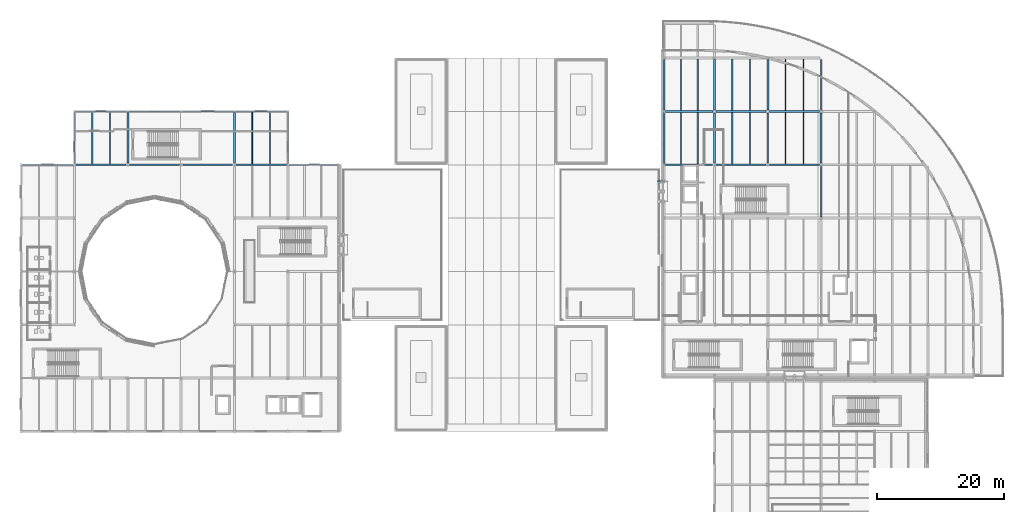
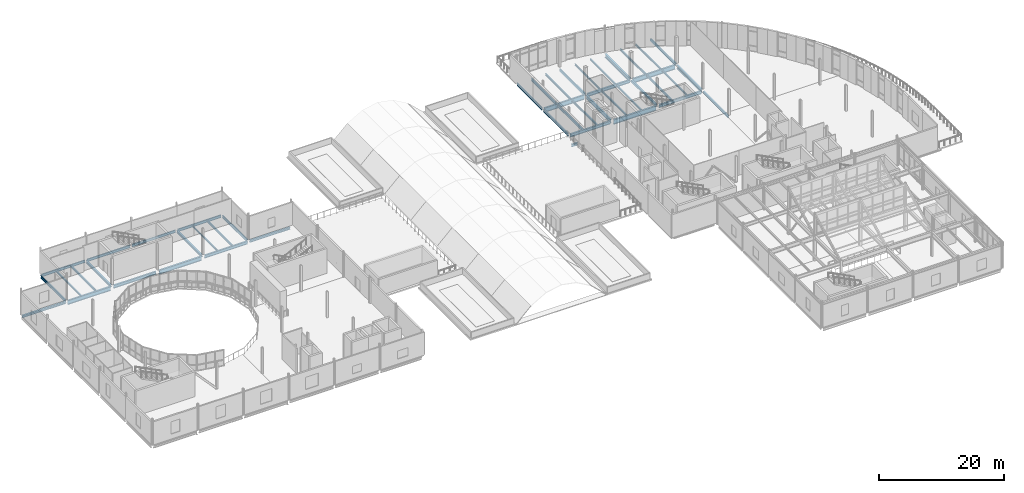
# One storey, part 36 of 91: 46 beams.
"""IFC4 building model written with IfcOpenShell, lengths in metres."""

from ifc_helpers import new_model, si_unit, direction, frame, origin, origin_2d, place, context, subcontext, project, spatial, hollow_rectangle, i_section, extrude, material, material_profile, profile_set, type_object, element, save


model = new_model("IFC4")

# Units and contexts
model_context = context("Model", 3, precision=1e-05, world=origin(), true_north=direction((0.0, 1.0)))
body_context = subcontext(model_context, "Body", "Model", "MODEL_VIEW")
ifc_project = project(units=[si_unit("LENGTHUNIT", "METRE"), si_unit("AREAUNIT", "SQUARE_METRE"), si_unit("VOLUMEUNIT", "CUBIC_METRE"), si_unit("PLANEANGLEUNIT", "RADIAN"), si_unit("MASSUNIT", "GRAM", prefix="KILO"), si_unit("THERMODYNAMICTEMPERATUREUNIT", "KELVIN")], contexts=[model_context])

# Site, building, storey
site_placement = place(None, origin())
site = spatial("IfcSite", under=ifc_project, at=site_placement, CompositionType="ELEMENT")
building_placement = place(site_placement, origin())
building = spatial("IfcBuilding", under=site, at=building_placement, Name="Lustrewick Department Store", CompositionType="ELEMENT")
storey_placement = place(building_placement, frame((0.0, 0.0, 21.60009765625)))
storey = spatial("IfcBuildingStorey", under=building, at=storey_placement, Name="L05", CompositionType="ELEMENT", Elevation=21.60009765625)

# Beams
ifc_material_1 = material(Name="Structural steel Q355B", Category="steel")
ifc_material_profile_1 = material_profile(ifc_material_1, i_section(OverallWidth=0.199951171875, OverallDepth=0.5, WebThickness=0.010009765625, FlangeThickness=0.01611328125, FilletRadius=0.01611328125, at=origin_2d()), Name="HN 500x200x10x16")
ifc_profile_set_1 = profile_set([ifc_material_profile_1], Name="Structural steel Q355B")
beam_type_1 = type_object("IfcBeamType", Name="B01", PredefinedType="JOIST", material=ifc_profile_set_1)
beam_1_placement = place(storey_placement, frame((112.333251953125, 84.14990234375, -0.505126953125), z_axis=(0.0, 1.0, 0.0), x_axis=(-1.0, 0.0, 0.0)))
element("IfcBeam", 1, at=beam_1_placement, inside=storey, type_object=beam_type_1, Name="L05 V4 Secondary Joist B01", PredefinedType="JOIST", context=body_context, shape_type="SweptSolid", body=[
    extrude(i_section(OverallWidth=0.199951171875, OverallDepth=0.5, WebThickness=0.010009765625, FlangeThickness=0.01611328125, FilletRadius=0.01611328125, at=origin_2d()), origin(), (0.0, 0.0, 1.0), 8.1005859375),
])
beam_2_placement = place(storey_placement, frame((112.333251953125, 92.549560546875, -0.505126953125), z_axis=(0.0, 1.0, 0.0), x_axis=(-1.0, 0.0, 0.0)))
element("IfcBeam", 2, at=beam_2_placement, inside=storey, type_object=beam_type_1, Name="L05 V4 Secondary Joist B01", PredefinedType="JOIST", context=body_context, shape_type="SweptSolid", body=[
    extrude(i_section(OverallWidth=0.199951171875, OverallDepth=0.5, WebThickness=0.010009765625, FlangeThickness=0.01611328125, FilletRadius=0.01611328125, at=origin_2d()), origin(), (0.0, 0.0, 1.0), 8.100341796875),
])
ifc_material_profile_2 = material_profile(ifc_material_1, i_section(OverallWidth=0.199951171875, OverallDepth=0.449951171875, WebThickness=0.009033203125, FlangeThickness=0.013916015625, FilletRadius=0.01611328125, at=origin_2d()), Name="HN 450x200x9x14")
ifc_profile_set_2 = profile_set([ifc_material_profile_2], Name="Structural steel Q355B")
beam_type_2 = type_object("IfcBeamType", Name="B03", PredefinedType="JOIST", material=ifc_profile_set_2)
beam_3_placement = place(storey_placement, frame((22.39990234375, 84.15087890625, -0.47998046875), z_axis=(0.0, 1.0, 0.0), x_axis=(-1.0, 0.0, 0.0)))
element("IfcBeam", 3, at=beam_3_placement, inside=storey, type_object=beam_type_2, Name="L05 V1 Secondary Joist B03", PredefinedType="JOIST", context=body_context, shape_type="SweptSolid", body=[
    extrude(i_section(OverallWidth=0.199951171875, OverallDepth=0.449951171875, WebThickness=0.009033203125, FlangeThickness=0.013916015625, FilletRadius=0.01611328125, at=origin_2d()), origin(), (0.0, 0.0, 1.0), 8.148681640625),
])
beam_4_placement = place(storey_placement, frame((47.60009765625, 84.14990234375, -0.47998046875), z_axis=(0.0, 1.0, 0.0), x_axis=(-1.0, 0.0, 0.0)))
element("IfcBeam", 4, at=beam_4_placement, inside=storey, type_object=beam_type_2, Name="L05 V1 Secondary Joist B03", PredefinedType="JOIST", context=body_context, shape_type="SweptSolid", body=[
    extrude(i_section(OverallWidth=0.199951171875, OverallDepth=0.449951171875, WebThickness=0.009033203125, FlangeThickness=0.013916015625, FilletRadius=0.01611328125, at=origin_2d()), origin(), (0.0, 0.0, 1.0), 8.149658203125),
])
ifc_material_profile_3 = material_profile(ifc_material_1, i_section(OverallWidth=0.199951171875, OverallDepth=0.39990234375, WebThickness=0.008056640625, FlangeThickness=0.012939453125, FilletRadius=0.013916015625, at=origin_2d()), Name="HN 400x200x8x13")
ifc_profile_set_3 = profile_set([ifc_material_profile_3], Name="Structural steel Q355B")
beam_type_3 = type_object("IfcBeamType", Name="B05", PredefinedType="JOIST", material=ifc_profile_set_3)
beam_5_placement = place(storey_placement, frame((114.966796875, 84.14990234375, -0.455078125), z_axis=(0.0, 1.0, 0.0), x_axis=(-1.0, 0.0, 0.0)))
element("IfcBeam", 5, at=beam_5_placement, inside=storey, type_object=beam_type_3, Name="L05 V4 Secondary Joist B05", PredefinedType="JOIST", context=body_context, shape_type="SweptSolid", body=[
    extrude(i_section(OverallWidth=0.199951171875, OverallDepth=0.39990234375, WebThickness=0.008056640625, FlangeThickness=0.012939453125, FilletRadius=0.013916015625, at=origin_2d()), origin(), (0.0, 0.0, 1.0), 8.1005859375),
])
beam_6_placement = place(storey_placement, frame((128.800048828125, 84.14990234375, -0.455078125), z_axis=(0.0, 1.0, 0.0), x_axis=(-1.0, 0.0, 0.0)))
element("IfcBeam", 6, at=beam_6_placement, inside=storey, type_object=beam_type_3, Name="L05 V4 Secondary Joist B05", PredefinedType="JOIST", context=body_context, shape_type="SweptSolid", body=[
    extrude(i_section(OverallWidth=0.199951171875, OverallDepth=0.39990234375, WebThickness=0.008056640625, FlangeThickness=0.012939453125, FilletRadius=0.013916015625, at=origin_2d()), origin(), (0.0, 0.0, 1.0), 8.10009765625),
])
beam_7_placement = place(storey_placement, frame((114.966796875, 92.549560546875, -0.455078125), z_axis=(0.0, 1.0, 0.0), x_axis=(-1.0, 0.0, 0.0)))
element("IfcBeam", 7, at=beam_7_placement, inside=storey, type_object=beam_type_3, Name="L05 V4 Secondary Joist B05", PredefinedType="JOIST", context=body_context, shape_type="SweptSolid", body=[
    extrude(i_section(OverallWidth=0.199951171875, OverallDepth=0.39990234375, WebThickness=0.008056640625, FlangeThickness=0.012939453125, FilletRadius=0.013916015625, at=origin_2d()), origin(), (0.0, 0.0, 1.0), 8.100341796875),
])
beam_8_placement = place(storey_placement, frame((128.800048828125, 92.550048828125, -0.455078125), z_axis=(0.0, 1.0, 0.0), x_axis=(-1.0, 0.0, 0.0)))
element("IfcBeam", 8, at=beam_8_placement, inside=storey, type_object=beam_type_3, Name="L05 V4 Secondary Joist B05", PredefinedType="JOIST", context=body_context, shape_type="SweptSolid", body=[
    extrude(i_section(OverallWidth=0.199951171875, OverallDepth=0.39990234375, WebThickness=0.008056640625, FlangeThickness=0.012939453125, FilletRadius=0.013916015625, at=origin_2d()), origin(), (0.0, 0.0, 1.0), 8.099853515625),
])
ifc_material_profile_4 = material_profile(ifc_material_1, i_section(OverallWidth=0.175048828125, OverallDepth=0.35009765625, WebThickness=0.007080078125, FlangeThickness=0.010986328125, FilletRadius=0.012939453125, at=origin_2d()), Name="HN 350x175x7x11")
ifc_profile_set_4 = profile_set([ifc_material_profile_4], Name="Structural steel Q355B")
beam_type_4 = type_object("IfcBeamType", Name="B09", PredefinedType="JOIST", material=ifc_profile_set_4)
beam_9_placement = place(storey_placement, frame((120.39990234375, 84.1494140625, -0.43017578125), z_axis=(0.0, 1.0, 0.0), x_axis=(-1.0, 0.0, 0.0)))
element("IfcBeam", 9, at=beam_9_placement, inside=storey, type_object=beam_type_4, Name="L05 V4 Secondary Joist B09", PredefinedType="JOIST", context=body_context, shape_type="SweptSolid", body=[
    extrude(i_section(OverallWidth=0.175048828125, OverallDepth=0.35009765625, WebThickness=0.007080078125, FlangeThickness=0.010986328125, FilletRadius=0.012939453125, at=origin_2d()), origin(), (0.0, 0.0, 1.0), 8.1005859375),
])
beam_10_placement = place(storey_placement, frame((131.60009765625, 84.14990234375, -0.43017578125), z_axis=(0.0, 1.0, 0.0), x_axis=(-1.0, 0.0, 0.0)))
element("IfcBeam", 10, at=beam_10_placement, inside=storey, type_object=beam_type_4, Name="L05 V4 Secondary Joist B09", PredefinedType="JOIST", context=body_context, shape_type="SweptSolid", body=[
    extrude(i_section(OverallWidth=0.175048828125, OverallDepth=0.35009765625, WebThickness=0.007080078125, FlangeThickness=0.010986328125, FilletRadius=0.012939453125, at=origin_2d()), origin(), (0.0, 0.0, 1.0), 8.10009765625),
])
for number, where, z_axis, x_axis, name in (
    (11, (120.39990234375, 92.550048828125, -0.43017578125), (0.0, 1.0, 0.0), (-1.0, 0.0, 0.0), "L05 V4 Secondary Joist B09"),
    (12, (131.60009765625, 92.550048828125, -0.43017578125), (0.0, 1.0, 0.0), (-1.0, 0.0, 0.0), "L05 V4 Secondary Joist B09"),
):
    element("IfcBeam", number, at=place(storey_placement, frame(where, z_axis=z_axis, x_axis=x_axis)), inside=storey, type_object=beam_type_4, Name=name, PredefinedType="JOIST", context=body_context, shape_type="SweptSolid", body=[
        extrude(i_section(OverallWidth=0.175048828125, OverallDepth=0.35009765625, WebThickness=0.007080078125, FlangeThickness=0.010986328125, FilletRadius=0.012939453125, at=origin_2d()), origin(), (0.0, 0.0, 1.0), 8.099853515625),
    ])
ifc_material_profile_5 = material_profile(ifc_material_1, i_section(OverallWidth=0.14892578125, OverallDepth=0.298095703125, WebThickness=0.005615234375, FlangeThickness=0.008056640625, FilletRadius=0.011962890625, at=origin_2d()), Name="HN 298x149x5.5x8")
ifc_profile_set_5 = profile_set([ifc_material_profile_5], Name="Structural steel Q355B")
beam_type_5 = type_object("IfcBeamType", Name="B12", PredefinedType="JOIST", material=ifc_profile_set_5)
beam_11_placement = place(storey_placement, frame((44.800048828125, 84.14990234375, -0.404052734375), z_axis=(0.0, 1.0, 0.0), x_axis=(-1.0, 0.0, 0.0)))
element("IfcBeam", 13, at=beam_11_placement, inside=storey, type_object=beam_type_5, Name="L05 V1 Secondary Joist B12", PredefinedType="JOIST", context=body_context, shape_type="SweptSolid", body=[
    extrude(i_section(OverallWidth=0.14892578125, OverallDepth=0.298095703125, WebThickness=0.005615234375, FlangeThickness=0.008056640625, FilletRadius=0.011962890625, at=origin_2d()), origin(), (0.0, 0.0, 1.0), 8.149658203125),
])
ifc_material_profile_6 = material_profile(ifc_material_1, i_section(OverallWidth=0.199951171875, OverallDepth=0.2939453125, WebThickness=0.008056640625, FlangeThickness=0.011962890625, FilletRadius=0.013916015625, at=origin_2d()), Name="HM 294x200x8x12")
ifc_profile_set_6 = profile_set([ifc_material_profile_6], Name="Structural steel Q355B")
beam_type_6 = type_object("IfcBeamType", Name="B13", PredefinedType="JOIST", material=ifc_profile_set_6)
beam_12_placement = place(storey_placement, frame((19.60009765625, 84.15087890625, -0.402099609375), z_axis=(0.0, 1.0, 0.0), x_axis=(-1.0, 0.0, 0.0)))
element("IfcBeam", 14, at=beam_12_placement, inside=storey, type_object=beam_type_6, Name="L05 V1 Secondary Joist B13", PredefinedType="JOIST", context=body_context, shape_type="SweptSolid", body=[
    extrude(i_section(OverallWidth=0.199951171875, OverallDepth=0.2939453125, WebThickness=0.008056640625, FlangeThickness=0.011962890625, FilletRadius=0.013916015625, at=origin_2d()), origin(), (0.0, 0.0, 1.0), 8.148681640625),
])
beam_13_placement = place(storey_placement, frame((123.199951171875, 84.1494140625, -0.402099609375), z_axis=(0.0, 1.0, 0.0), x_axis=(-1.0, 0.0, 0.0)))
element("IfcBeam", 15, at=beam_13_placement, inside=storey, type_object=beam_type_6, Name="L05 V4 Secondary Joist B13", PredefinedType="JOIST", context=body_context, shape_type="SweptSolid", body=[
    extrude(i_section(OverallWidth=0.199951171875, OverallDepth=0.2939453125, WebThickness=0.008056640625, FlangeThickness=0.011962890625, FilletRadius=0.013916015625, at=origin_2d()), origin(), (0.0, 0.0, 1.0), 8.1005859375),
])
beam_14_placement = place(storey_placement, frame((123.199951171875, 92.550048828125, -0.402099609375), z_axis=(0.0, 1.0, 0.0), x_axis=(-1.0, 0.0, 0.0)))
element("IfcBeam", 16, at=beam_14_placement, inside=storey, type_object=beam_type_6, Name="L05 V4 Secondary Joist B13", PredefinedType="JOIST", context=body_context, shape_type="SweptSolid", body=[
    extrude(i_section(OverallWidth=0.199951171875, OverallDepth=0.2939453125, WebThickness=0.008056640625, FlangeThickness=0.011962890625, FilletRadius=0.013916015625, at=origin_2d()), origin(), (0.0, 0.0, 1.0), 8.099853515625),
])
ifc_material_2 = material(Name="Structural steel Q355C", Category="steel")
ifc_material_profile_7 = material_profile(ifc_material_2, i_section(OverallWidth=0.300048828125, OverallDepth=0.89990234375, WebThickness=0.01611328125, FlangeThickness=0.028076171875, FilletRadius=0.02392578125, at=origin_2d()), Name="HN 900x300x16x28")
ifc_profile_set_7 = profile_set([ifc_material_profile_7], Name="Structural steel Q355C")
beam_type_7 = type_object("IfcBeamType", Name="G02", PredefinedType="BEAM", material=ifc_profile_set_7)
beam_15_placement = place(storey_placement, frame((126.25, 92.39990234375, -0.705078125), z_axis=(1.0, 0.0, 0.0), x_axis=(0.0, 1.0, 0.0)))
element("IfcBeam", 17, at=beam_15_placement, inside=storey, type_object=beam_type_7, Name="L05 V4 Girder G02", PredefinedType="BEAM", context=body_context, shape_type="SweptSolid", body=[
    extrude(i_section(OverallWidth=0.300048828125, OverallDepth=0.89990234375, WebThickness=0.01611328125, FlangeThickness=0.028076171875, FilletRadius=0.02392578125, at=origin_2d()), origin(), (0.0, 0.0, 1.0), 7.89990234375),
])
ifc_material_profile_8 = material_profile(ifc_material_2, i_section(OverallWidth=0.299072265625, OverallDepth=0.889892578125, WebThickness=0.014892578125, FlangeThickness=0.02294921875, FilletRadius=0.02392578125, at=origin_2d()), Name="HN 890x299x15x23")
ifc_profile_set_8 = profile_set([ifc_material_profile_8], Name="Structural steel Q355C")
beam_type_8 = type_object("IfcBeamType", Name="G03", PredefinedType="BEAM", material=ifc_profile_set_8)
beam_16_placement = place(storey_placement, frame((117.875, 84.0, -0.7001953125), z_axis=(1.0, 0.0, 0.0), x_axis=(0.0, 1.0, 0.0)))
element("IfcBeam", 18, at=beam_16_placement, inside=storey, type_object=beam_type_8, Name="L05 V4 Girder G03", PredefinedType="BEAM", context=body_context, shape_type="SweptSolid", body=[
    extrude(i_section(OverallWidth=0.299072265625, OverallDepth=0.889892578125, WebThickness=0.014892578125, FlangeThickness=0.02294921875, FilletRadius=0.02392578125, at=origin_2d()), origin(), (0.0, 0.0, 1.0), 7.85009765625),
])
beam_17_placement = place(storey_placement, frame((109.903076171875, 92.39990234375, -0.7001953125), z_axis=(1.0, 0.0, 0.0), x_axis=(0.0, 1.0, 0.0)))
element("IfcBeam", 19, at=beam_17_placement, inside=storey, type_object=beam_type_8, Name="L05 V4 Girder G03", PredefinedType="BEAM", context=body_context, shape_type="SweptSolid", body=[
    extrude(i_section(OverallWidth=0.299072265625, OverallDepth=0.889892578125, WebThickness=0.014892578125, FlangeThickness=0.02294921875, FilletRadius=0.02392578125, at=origin_2d()), origin(), (0.0, 0.0, 1.0), 7.447021484375),
])
ifc_material_profile_9 = material_profile(ifc_material_2, i_section(OverallWidth=0.302001953125, OverallDepth=0.80810546875, WebThickness=0.01611328125, FlangeThickness=0.030029296875, FilletRadius=0.02197265625, at=origin_2d()), Name="HN 808x302x16x30")
ifc_profile_set_9 = profile_set([ifc_material_profile_9], Name="Structural steel Q355C")
beam_type_9 = type_object("IfcBeamType", Name="G04", PredefinedType="BEAM", material=ifc_profile_set_9)
beam_18_placement = place(storey_placement, frame((17.0029296875, 84.0, -0.6591796875), z_axis=(1.0, 0.0, 0.0), x_axis=(0.0, 1.0, 0.0)))
element("IfcBeam", 20, at=beam_18_placement, inside=storey, type_object=beam_type_9, Name="L05 V1 Girder G04", PredefinedType="BEAM", context=body_context, shape_type="SweptSolid", body=[
    extrude(i_section(OverallWidth=0.302001953125, OverallDepth=0.80810546875, WebThickness=0.01611328125, FlangeThickness=0.030029296875, FilletRadius=0.02197265625, at=origin_2d()), origin(), (0.0, 0.0, 1.0), 7.922119140625),
])
beam_19_placement = place(storey_placement, frame((33.875, 84.0, -0.6591796875), z_axis=(1.0, 0.0, 0.0), x_axis=(0.0, 1.0, 0.0)))
element("IfcBeam", 21, at=beam_19_placement, inside=storey, type_object=beam_type_9, Name="L05 V1 Girder G04", PredefinedType="BEAM", context=body_context, shape_type="SweptSolid", body=[
    extrude(i_section(OverallWidth=0.302001953125, OverallDepth=0.80810546875, WebThickness=0.01611328125, FlangeThickness=0.030029296875, FilletRadius=0.02197265625, at=origin_2d()), origin(), (0.0, 0.0, 1.0), 7.85009765625),
])
ifc_material_profile_10 = material_profile(ifc_material_2, i_section(OverallWidth=0.302001953125, OverallDepth=0.7080078125, WebThickness=0.014892578125, FlangeThickness=0.028076171875, FilletRadius=0.02001953125, at=origin_2d()), Name="HN 708x302x15x28")
ifc_profile_set_10 = profile_set([ifc_material_profile_10], Name="Structural steel Q355C")
beam_type_10 = type_object("IfcBeamType", Name="G07", PredefinedType="BEAM", material=ifc_profile_set_10)
beam_20_placement = place(storey_placement, frame((126.0, 92.64990234375, -0.609130859375), z_axis=(0.0, 1.0, 0.0), x_axis=(-1.0, 0.0, 0.0)))
element("IfcBeam", 22, at=beam_20_placement, inside=storey, type_object=beam_type_10, Name="L05 V4 Girder G07", PredefinedType="BEAM", context=body_context, shape_type="SweptSolid", body=[
    extrude(i_section(OverallWidth=0.302001953125, OverallDepth=0.7080078125, WebThickness=0.014892578125, FlangeThickness=0.028076171875, FilletRadius=0.02001953125, at=origin_2d()), origin(), (0.0, 0.0, 1.0), 7.9560546875),
])
beam_21_placement = place(storey_placement, frame((134.39990234375, 84.27490234375, -0.609130859375), z_axis=(0.0, 1.0, 0.0), x_axis=(-1.0, 0.0, 0.0)))
element("IfcBeam", 23, at=beam_21_placement, inside=storey, type_object=beam_type_10, Name="L05 V4 Girder G07", PredefinedType="BEAM", context=body_context, shape_type="SweptSolid", body=[
    extrude(i_section(OverallWidth=0.302001953125, OverallDepth=0.7080078125, WebThickness=0.014892578125, FlangeThickness=0.028076171875, FilletRadius=0.02001953125, at=origin_2d()), origin(), (0.0, 0.0, 1.0), 7.875),
])
ifc_material_profile_11 = material_profile(ifc_material_1, i_section(OverallWidth=0.300048828125, OverallDepth=0.699951171875, WebThickness=0.012939453125, FlangeThickness=0.02392578125, FilletRadius=0.02001953125, at=origin_2d()), Name="HN 700x300x13x24")
ifc_profile_set_11 = profile_set([ifc_material_profile_11], Name="Structural steel Q355B")
beam_type_11 = type_object("IfcBeamType", Name="G08", PredefinedType="BEAM", material=ifc_profile_set_11)
beam_22_placement = place(storey_placement, frame((117.60009765625, 84.27490234375, -0.60498046875), z_axis=(0.0, 1.0, 0.0), x_axis=(-1.0, 0.0, 0.0)))
element("IfcBeam", 24, at=beam_22_placement, inside=storey, type_object=beam_type_11, Name="L05 V4 Girder G08", PredefinedType="BEAM", context=body_context, shape_type="SweptSolid", body=[
    extrude(i_section(OverallWidth=0.300048828125, OverallDepth=0.699951171875, WebThickness=0.012939453125, FlangeThickness=0.02392578125, FilletRadius=0.02001953125, at=origin_2d()), origin(), (0.0, 0.0, 1.0), 7.875),
])
ifc_material_profile_12 = material_profile(ifc_material_1, i_section(OverallWidth=0.300048828125, OverallDepth=0.587890625, WebThickness=0.011962890625, FlangeThickness=0.02001953125, FilletRadius=0.02392578125, at=origin_2d()), Name="HM 588x300x12x20")
ifc_profile_set_12 = profile_set([ifc_material_profile_12], Name="Structural steel Q355B")
beam_type_12 = type_object("IfcBeamType", Name="G11", PredefinedType="BEAM", material=ifc_profile_set_12)
beam_23_placement = place(storey_placement, frame((126.27490234375, 84.0, -0.549072265625), z_axis=(1.0, 0.0, 0.0), x_axis=(0.0, 1.0, 0.0)))
element("IfcBeam", 25, at=beam_23_placement, inside=storey, type_object=beam_type_12, Name="L05 V4 Girder G11", PredefinedType="BEAM", context=body_context, shape_type="SweptSolid", body=[
    extrude(i_section(OverallWidth=0.300048828125, OverallDepth=0.587890625, WebThickness=0.011962890625, FlangeThickness=0.02001953125, FilletRadius=0.02392578125, at=origin_2d()), origin(), (0.0, 0.0, 1.0), 7.85009765625),
])
beam_24_placement = place(storey_placement, frame((117.85009765625, 92.39990234375, -0.549072265625), z_axis=(1.0, 0.0, 0.0), x_axis=(0.0, 1.0, 0.0)))
element("IfcBeam", 26, at=beam_24_placement, inside=storey, type_object=beam_type_12, Name="L05 V4 Girder G11", PredefinedType="BEAM", context=body_context, shape_type="SweptSolid", body=[
    extrude(i_section(OverallWidth=0.300048828125, OverallDepth=0.587890625, WebThickness=0.011962890625, FlangeThickness=0.02001953125, FilletRadius=0.02392578125, at=origin_2d()), origin(), (0.0, 0.0, 1.0), 7.89990234375),
])
ifc_material_profile_13 = material_profile(ifc_material_1, i_section(OverallWidth=0.300048828125, OverallDepth=0.58203125, WebThickness=0.011962890625, FlangeThickness=0.01708984375, FilletRadius=0.02392578125, at=origin_2d()), Name="HM 582x300x12x17")
ifc_profile_set_13 = profile_set([ifc_material_profile_13], Name="Structural steel Q355B")
beam_type_13 = type_object("IfcBeamType", Name="G12", PredefinedType="BEAM", material=ifc_profile_set_13)
beam_25_placement = place(storey_placement, frame((25.47509765625, 84.0, -0.546142578125), z_axis=(1.0, 0.0, 0.0), x_axis=(0.0, 1.0, 0.0)))
element("IfcBeam", 27, at=beam_25_placement, inside=storey, type_object=beam_type_13, Name="L05 V1 Girder G12", PredefinedType="BEAM", context=body_context, shape_type="SweptSolid", body=[
    extrude(i_section(OverallWidth=0.300048828125, OverallDepth=0.58203125, WebThickness=0.011962890625, FlangeThickness=0.01708984375, FilletRadius=0.02392578125, at=origin_2d()), origin(), (0.0, 0.0, 1.0), 7.849853515625),
])
beam_26_placement = place(storey_placement, frame((42.27490234375, 84.0, -0.546142578125), z_axis=(1.0, 0.0, 0.0), x_axis=(0.0, 1.0, 0.0)))
element("IfcBeam", 28, at=beam_26_placement, inside=storey, type_object=beam_type_13, Name="L05 V1 Girder G12", PredefinedType="BEAM", context=body_context, shape_type="SweptSolid", body=[
    extrude(i_section(OverallWidth=0.300048828125, OverallDepth=0.58203125, WebThickness=0.011962890625, FlangeThickness=0.01708984375, FilletRadius=0.02392578125, at=origin_2d()), origin(), (0.0, 0.0, 1.0), 7.922119140625),
])
beam_27_placement = place(storey_placement, frame((109.888427734375, 84.0, -0.546142578125), z_axis=(1.0, 0.0, 0.0), x_axis=(0.0, 1.0, 0.0)))
element("IfcBeam", 29, at=beam_27_placement, inside=storey, type_object=beam_type_13, Name="L05 V4 Girder G12", PredefinedType="BEAM", context=body_context, shape_type="SweptSolid", body=[
    extrude(i_section(OverallWidth=0.300048828125, OverallDepth=0.58203125, WebThickness=0.011962890625, FlangeThickness=0.01708984375, FilletRadius=0.02392578125, at=origin_2d()), origin(), (0.0, 0.0, 1.0), 7.4365234375),
])
ifc_material_profile_14 = material_profile(ifc_material_1, i_section(OverallWidth=0.300048828125, OverallDepth=0.488037109375, WebThickness=0.010986328125, FlangeThickness=0.01806640625, FilletRadius=0.02197265625, at=origin_2d()), Name="HM 488x300x11x18")
ifc_profile_set_14 = profile_set([ifc_material_profile_14], Name="Structural steel Q355B")
beam_type_14 = type_object("IfcBeamType", Name="G16", PredefinedType="BEAM", material=ifc_profile_set_14)
beam_28_placement = place(storey_placement, frame((108.60009765625, 81.39990234375, -0.4990234375), z_axis=(1.0, 0.0, 0.0), x_axis=(0.0, 1.0, 0.0)))
element("IfcBeam", 30, at=beam_28_placement, inside=storey, type_object=beam_type_14, Name="L05 Skybridge SB24 Girder 2", PredefinedType="BEAM", context=body_context, shape_type="SweptSolid", body=[
    extrude(i_section(OverallWidth=0.300048828125, OverallDepth=0.488037109375, WebThickness=0.010986328125, FlangeThickness=0.01806640625, FilletRadius=0.02197265625, at=origin_2d()), origin(), (0.0, 0.0, 1.0), 1.139892578125),
])
ifc_material_profile_15 = material_profile(ifc_material_2, hollow_rectangle(XDim=0.25, YDim=0.449951171875, WallThickness=0.013916015625, at=origin_2d()), Name="RHS 450x250x14")
ifc_profile_set_15 = profile_set([ifc_material_profile_15], Name="Structural steel Q355C")
beam_type_15 = type_object("IfcBeamType", Name="G18", PredefinedType="BEAM", material=ifc_profile_set_15)
beam_29_placement = place(storey_placement, frame((117.60009765625, 92.64990234375, -0.47998046875), z_axis=(0.0, 1.0, 0.0), x_axis=(-1.0, 0.0, 0.0)))
element("IfcBeam", 31, at=beam_29_placement, inside=storey, type_object=beam_type_15, Name="L05 V4 Girder G18", PredefinedType="BEAM", context=body_context, shape_type="SweptSolid", body=[
    extrude(hollow_rectangle(XDim=0.25, YDim=0.449951171875, WallThickness=0.013916015625, at=origin_2d()), origin(), (0.0, 0.0, 1.0), 7.9560546875),
])
beam_30_placement = place(storey_placement, frame((126.0, 84.27490234375, -0.47998046875), z_axis=(0.0, 1.0, 0.0), x_axis=(-1.0, 0.0, 0.0)))
element("IfcBeam", 32, at=beam_30_placement, inside=storey, type_object=beam_type_15, Name="L05 V4 Girder G18", PredefinedType="BEAM", context=body_context, shape_type="SweptSolid", body=[
    extrude(hollow_rectangle(XDim=0.25, YDim=0.449951171875, WallThickness=0.013916015625, at=origin_2d()), origin(), (0.0, 0.0, 1.0), 7.875),
])
beam_31_placement = place(storey_placement, frame((134.39990234375, 75.77490234375, -0.47998046875), z_axis=(0.0, 1.0, 0.0), x_axis=(-1.0, 0.0, 0.0)))
element("IfcBeam", 33, at=beam_31_placement, inside=storey, type_object=beam_type_15, Name="L05 V4 Girder G18", PredefinedType="BEAM", context=body_context, shape_type="SweptSolid", body=[
    extrude(hollow_rectangle(XDim=0.25, YDim=0.449951171875, WallThickness=0.013916015625, at=origin_2d()), origin(), (0.0, 0.0, 1.0), 7.9501953125),
])
beam_32_placement = place(storey_placement, frame((134.39990234375, 92.64990234375, -0.47998046875), z_axis=(0.0, 1.0, 0.0), x_axis=(-1.0, 0.0, 0.0)))
element("IfcBeam", 34, at=beam_32_placement, inside=storey, type_object=beam_type_15, Name="L05 V4 Girder G18", PredefinedType="BEAM", context=body_context, shape_type="SweptSolid", body=[
    extrude(hollow_rectangle(XDim=0.25, YDim=0.449951171875, WallThickness=0.013916015625, at=origin_2d()), origin(), (0.0, 0.0, 1.0), 7.9560546875),
])
ifc_material_profile_16 = material_profile(ifc_material_1, i_section(OverallWidth=0.300048828125, OverallDepth=0.48193359375, WebThickness=0.010986328125, FlangeThickness=0.014892578125, FilletRadius=0.02197265625, at=origin_2d()), Name="HM 482x300x11x15")
ifc_profile_set_16 = profile_set([ifc_material_profile_16], Name="Structural steel Q355B")
beam_type_16 = type_object("IfcBeamType", Name="G20", PredefinedType="BEAM", material=ifc_profile_set_16)
for number, where, z_axis, x_axis, name in (
    (35, (25.199951171875, 84.27490234375, -0.49609375), (0.0, 1.0, 0.0), (-1.0, 0.0, 0.0), "L05 V1 Girder G20"),
    (36, (42.0, 84.27490234375, -0.49609375), (0.0, 1.0, 0.0), (-1.0, 0.0, 0.0), "L05 V1 Girder G20"),
):
    element("IfcBeam", number, at=place(storey_placement, frame(where, z_axis=z_axis, x_axis=x_axis)), inside=storey, type_object=beam_type_16, Name=name, PredefinedType="BEAM", context=body_context, shape_type="SweptSolid", body=[
        extrude(i_section(OverallWidth=0.300048828125, OverallDepth=0.48193359375, WebThickness=0.010986328125, FlangeThickness=0.014892578125, FilletRadius=0.02197265625, at=origin_2d()), origin(), (0.0, 0.0, 1.0), 7.9365234375),
    ])
ifc_material_profile_17 = material_profile(ifc_material_1, i_section(OverallWidth=0.200927734375, OverallDepth=0.506103515625, WebThickness=0.010986328125, FlangeThickness=0.01904296875, FilletRadius=0.01611328125, at=origin_2d()), Name="HN 506x201x11x19")
ifc_profile_set_17 = profile_set([ifc_material_profile_17], Name="Structural steel Q355B")
beam_type_17 = type_object("IfcBeamType", Name="SP01", PredefinedType="SPANDREL", material=ifc_profile_set_17)
beam_33_placement = place(storey_placement, frame((16.988525390625, 92.39990234375, -0.508056640625), z_axis=(1.0, 0.0, 0.0), x_axis=(0.0, 1.0, 0.0)))
element("IfcBeam", 37, at=beam_33_placement, inside=storey, type_object=beam_type_17, Name="L05 V1 Girder SP01", PredefinedType="SPANDREL", context=body_context, shape_type="SweptSolid", body=[
    extrude(i_section(OverallWidth=0.200927734375, OverallDepth=0.506103515625, WebThickness=0.010986328125, FlangeThickness=0.01904296875, FilletRadius=0.01611328125, at=origin_2d()), origin(), (0.0, 0.0, 1.0), 8.02294921875),
])
beam_34_placement = place(storey_placement, frame((25.388427734375, 92.39990234375, -0.508056640625), z_axis=(1.0, 0.0, 0.0), x_axis=(0.0, 1.0, 0.0)))
element("IfcBeam", 38, at=beam_34_placement, inside=storey, type_object=beam_type_17, Name="L05 V1 Girder SP01", PredefinedType="SPANDREL", context=body_context, shape_type="SweptSolid", body=[
    extrude(i_section(OverallWidth=0.200927734375, OverallDepth=0.506103515625, WebThickness=0.010986328125, FlangeThickness=0.01904296875, FilletRadius=0.01611328125, at=origin_2d()), origin(), (0.0, 0.0, 1.0), 8.023193359375),
])
for number, where, z_axis, x_axis, name in (
    (39, (33.78857421875, 92.39990234375, -0.508056640625), (1.0, 0.0, 0.0), (0.0, 1.0, 0.0), "L05 V1 Girder SP01"),
    (40, (42.1884765625, 92.39990234375, -0.508056640625), (1.0, 0.0, 0.0), (0.0, 1.0, 0.0), "L05 V1 Girder SP01"),
):
    element("IfcBeam", number, at=place(storey_placement, frame(where, z_axis=z_axis, x_axis=x_axis)), inside=storey, type_object=beam_type_17, Name=name, PredefinedType="SPANDREL", context=body_context, shape_type="SweptSolid", body=[
        extrude(i_section(OverallWidth=0.200927734375, OverallDepth=0.506103515625, WebThickness=0.010986328125, FlangeThickness=0.01904296875, FilletRadius=0.01611328125, at=origin_2d()), origin(), (0.0, 0.0, 1.0), 8.02294921875),
    ])
for number, where, z_axis, x_axis, name in (
    (41, (16.800048828125, 84.202880859375, -0.508056640625), (0.0, 1.0, 0.0), (-1.0, 0.0, 0.0), "L05 V1 Girder SP01"),
    (42, (50.39990234375, 84.202880859375, -0.508056640625), (0.0, 1.0, 0.0), (-1.0, 0.0, 0.0), "L05 V1 Girder SP01"),
    (43, (109.699951171875, 84.1884765625, -0.508056640625), (0.0, 1.0, 0.0), (-1.0, 0.0, 0.0), "L05 V4 Girder SP01"),
    (44, (109.699951171875, 92.60302734375, -0.508056640625), (0.0, 1.0, 0.0), (-1.0, 0.0, 0.0), "L05 V4 Girder SP01"),
):
    element("IfcBeam", number, at=place(storey_placement, frame(where, z_axis=z_axis, x_axis=x_axis)), inside=storey, type_object=beam_type_17, Name=name, PredefinedType="SPANDREL", context=body_context, shape_type="SweptSolid", body=[
        extrude(i_section(OverallWidth=0.200927734375, OverallDepth=0.506103515625, WebThickness=0.010986328125, FlangeThickness=0.01904296875, FilletRadius=0.01611328125, at=origin_2d()), origin(), (0.0, 0.0, 1.0), 8.008544921875),
    ])
ifc_material_profile_18 = material_profile(ifc_material_1, i_section(OverallWidth=0.300048828125, OverallDepth=0.43994140625, WebThickness=0.010986328125, FlangeThickness=0.01806640625, FilletRadius=0.02001953125, at=origin_2d()), Name="HM 440x300x11x18")
ifc_profile_set_18 = profile_set([ifc_material_profile_18], Name="Structural steel Q355B")
beam_type_18 = type_object("IfcBeamType", Name="SP02", PredefinedType="SPANDREL", material=ifc_profile_set_18)
beam_35_placement = place(storey_placement, frame((8.60302734375, 84.0, -0.47509765625), z_axis=(1.0, 0.0, 0.0), x_axis=(0.0, 1.0, 0.0)))
element("IfcBeam", 45, at=beam_35_placement, inside=storey, type_object=beam_type_18, Name="L05 V1 Girder SP02", PredefinedType="SPANDREL", context=body_context, shape_type="SweptSolid", body=[
    extrude(i_section(OverallWidth=0.300048828125, OverallDepth=0.43994140625, WebThickness=0.010986328125, FlangeThickness=0.01806640625, FilletRadius=0.02001953125, at=origin_2d()), origin(), (0.0, 0.0, 1.0), 7.993896484375),
])
beam_36_placement = place(storey_placement, frame((50.60302734375, 84.0, -0.47509765625), z_axis=(1.0, 0.0, 0.0), x_axis=(0.0, 1.0, 0.0)))
element("IfcBeam", 46, at=beam_36_placement, inside=storey, type_object=beam_type_18, Name="L05 V1 Girder SP02", PredefinedType="SPANDREL", context=body_context, shape_type="SweptSolid", body=[
    extrude(i_section(OverallWidth=0.300048828125, OverallDepth=0.43994140625, WebThickness=0.010986328125, FlangeThickness=0.01806640625, FilletRadius=0.02001953125, at=origin_2d()), origin(), (0.0, 0.0, 1.0), 7.508544921875),
])

save(model, "model.ifc")
